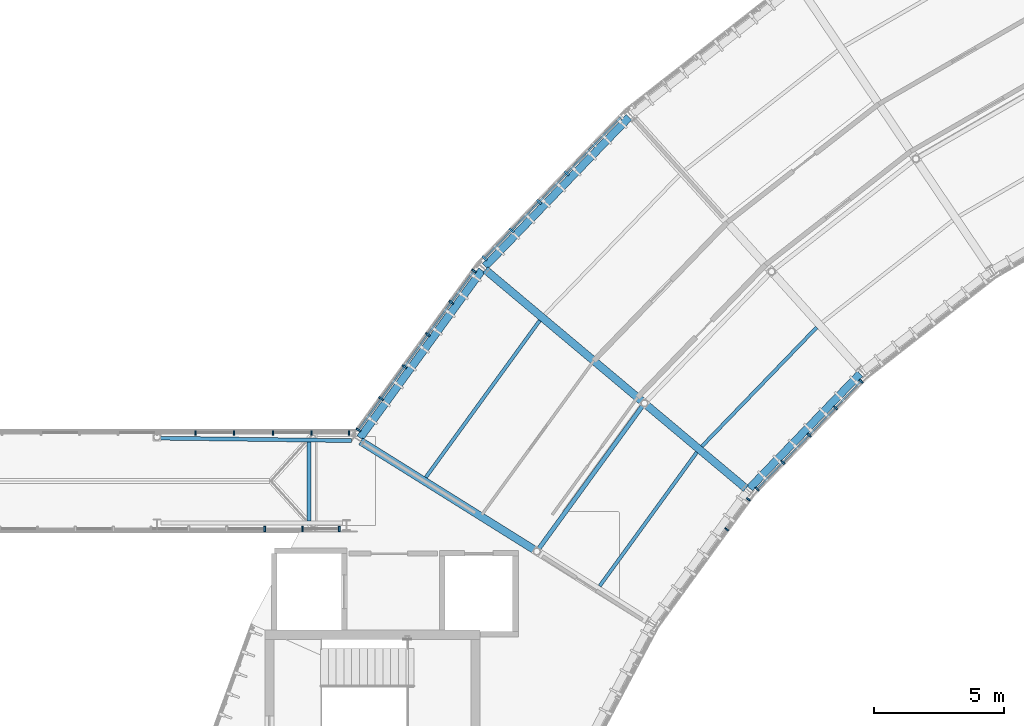
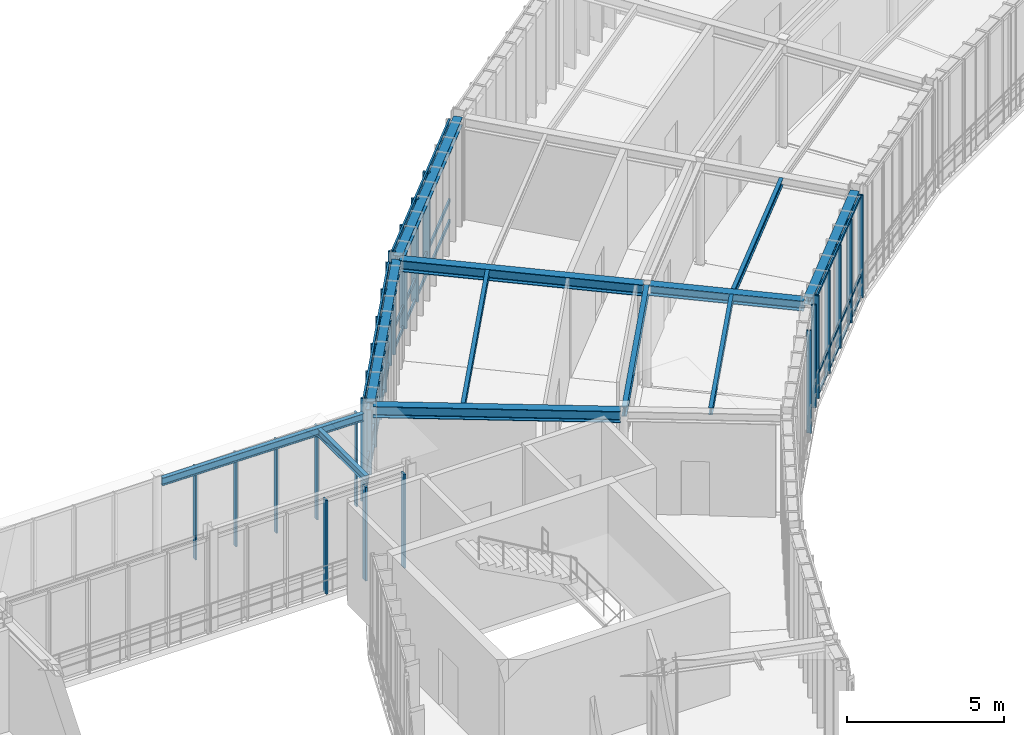
# One storey, part 17 of 52: 34 members, 12 beams, 6 elements without a shape of their own.
"""IFC4 building model written with IfcOpenShell, lengths in metres."""

from ifc_helpers import new_model, si_unit, direction, frame, origin, origin_2d, place, context, subcontext, project, spatial, rectangle, i_section, extrude, material, layer, layer_set, material_profile, profile_set, type_object, element, aggregate, save


model = new_model("IFC4")

# Units and contexts
model_context = context("Model", 3, precision=1e-05, world=origin(), true_north=direction((0.0, 1.0)))
body_context = subcontext(model_context, "Body", "Model", "MODEL_VIEW")
ifc_project = project(units=[si_unit("LENGTHUNIT", "METRE"), si_unit("AREAUNIT", "SQUARE_METRE"), si_unit("VOLUMEUNIT", "CUBIC_METRE"), si_unit("PLANEANGLEUNIT", "RADIAN"), si_unit("MASSUNIT", "GRAM", prefix="KILO"), si_unit("THERMODYNAMICTEMPERATUREUNIT", "KELVIN"), si_unit("POWERUNIT", "WATT")], contexts=[model_context])

# Site, building, storey
site_placement = place(None, origin())
site = spatial("IfcSite", under=ifc_project, at=site_placement, CompositionType="ELEMENT")
building_placement = place(site_placement, origin())
building = spatial("IfcBuilding", under=site, at=building_placement, Name="Solvatero Civic Police Headquarters", CompositionType="ELEMENT")
storey_placement = place(building_placement, frame((0.0, 0.0, 13.5)))
storey = spatial("IfcBuildingStorey", under=building, at=storey_placement, Name="L03", CompositionType="ELEMENT", Elevation=13.5)

# Beams
ifc_material_1 = material(Name="Steel S355", Category="steel")
ifc_material_profile_1 = material_profile(ifc_material_1, i_section(OverallWidth=0.300048828125, OverallDepth=0.2900390625, WebThickness=0.008544921875, FlangeThickness=0.013916015625, FilletRadius=0.027099609375, at=origin_2d()), Name="HEA 300")
ifc_profile_set_1 = profile_set([ifc_material_profile_1], Name="Steel S355")
beam_type_1 = type_object("IfcBeamType", Name="BM-ST-HEA300", PredefinedType="SPANDREL", material=ifc_profile_set_1)
beam_1_placement = place(storey_placement, frame((63.58544921875, 59.629638671875, 3.85498046875), z_axis=(-0.694666334327, -0.719332109635, 0.0), x_axis=(0.719332109635, -0.694666334327, 0.0)))
element("IfcBeam", 1, at=beam_1_placement, inside=storey, type_object=beam_type_1, Name="Perimeter / radial spandrel beam BM-R2-L03-ARC-CIN-B07", PredefinedType="SPANDREL", context=body_context, shape_type="SweptSolid", body=[
    extrude(i_section(OverallWidth=0.300048828125, OverallDepth=0.2900390625, WebThickness=0.008544921875, FlangeThickness=0.013916015625, FilletRadius=0.027099609375, at=origin_2d()), origin(), (0.0, 0.0, 1.0), 6.126953125),
])
ifc_material_profile_2 = material_profile(ifc_material_1, i_section(OverallWidth=0.300048828125, OverallDepth=0.31005859375, WebThickness=0.009033203125, FlangeThickness=0.015380859375, FilletRadius=0.027099609375, at=origin_2d()), Name="HEA 320")
ifc_profile_set_2 = profile_set([ifc_material_profile_2], Name="Steel S355")
beam_type_2 = type_object("IfcBeamType", Name="BM-ST-HEA320", PredefinedType="SPANDREL", material=ifc_profile_set_2)
beam_2_placement = place(storey_placement, frame((54.68603515625, 69.513427734375, 3.844970703125), z_axis=(-0.694657827695, -0.719340324479, 0.0), x_axis=(0.719340324479, -0.694657827695, 0.0)))
element("IfcBeam", 2, at=beam_2_placement, inside=storey, type_object=beam_type_2, Name="Perimeter / radial spandrel beam BM-R2-L03-ARC-COUT-B07", PredefinedType="SPANDREL", context=body_context, shape_type="SweptSolid", body=[
    extrude(i_section(OverallWidth=0.300048828125, OverallDepth=0.31005859375, WebThickness=0.009033203125, FlangeThickness=0.015380859375, FilletRadius=0.027099609375, at=origin_2d()), origin(), (0.0, 0.0, 1.0), 7.982177734375),
])
beam_3_placement = place(storey_placement, frame((49.0126953125, 63.61865234375, 3.844970703125), z_axis=(-0.587775184232, -0.809024309153, 0.0), x_axis=(0.809024309153, -0.587775184232, 0.0)))
element("IfcBeam", 3, at=beam_3_placement, inside=storey, type_object=beam_type_2, Name="Perimeter / radial spandrel beam BM-R2-L03-ARC-COUT-B08", PredefinedType="SPANDREL", context=body_context, shape_type="SweptSolid", body=[
    extrude(i_section(OverallWidth=0.300048828125, OverallDepth=0.31005859375, WebThickness=0.009033203125, FlangeThickness=0.015380859375, FilletRadius=0.027099609375, at=origin_2d()), origin(), (0.0, 0.0, 1.0), 7.982421875),
])
ifc_material_profile_3 = material_profile(ifc_material_1, i_section(OverallWidth=0.300048828125, OverallDepth=0.389892578125, WebThickness=0.010986328125, FlangeThickness=0.01904296875, FilletRadius=0.027099609375, at=origin_2d()), Name="HEA 400")
ifc_profile_set_3 = profile_set([ifc_material_profile_3], Name="Steel S355")
beam_type_3 = type_object("IfcBeamType", Name="BM-ST-HEA400", PredefinedType="BEAM", material=ifc_profile_set_3)
beam_4_placement = place(storey_placement, frame((59.183349609375, 55.214599609375, 3.804931640625), z_axis=(-0.766035646312, 0.642798093167, 0.0), x_axis=(-0.642798093167, -0.766035646312, 0.0)))
element("IfcBeam", 4, at=beam_4_placement, inside=storey, type_object=beam_type_3, Name="Primary girder BM-R2-L03-ARC-RAD1-S07", PredefinedType="BEAM", context=body_context, shape_type="SweptSolid", body=[
    extrude(i_section(OverallWidth=0.300048828125, OverallDepth=0.389892578125, WebThickness=0.010986328125, FlangeThickness=0.01904296875, FilletRadius=0.027099609375, at=origin_2d()), origin(), (0.0, 0.0, 1.0), 5.000244140625),
])
ifc_material_profile_4 = material_profile(ifc_material_1, i_section(OverallWidth=0.300048828125, OverallDepth=0.43994140625, WebThickness=0.011474609375, FlangeThickness=0.02099609375, FilletRadius=0.027099609375, at=origin_2d()), Name="HEA 450")
ifc_profile_set_4 = profile_set([ifc_material_profile_4], Name="Steel S355")
beam_type_4 = type_object("IfcBeamType", Name="BM-ST-HEA450", PredefinedType="BEAM", material=ifc_profile_set_4)
for number, where, z_axis, x_axis, name in (
    (5, (55.199951171875, 58.55712890625, 3.780029296875), (-0.766038381489, 0.642794833587, 0.0), (-0.642794833587, -0.766038381489, 0.0), "Primary girder BM-R2-L03-ARC-RAD2-S07"),
    (6, (51.04638671875, 52.84033203125, 3.780029296875), (-0.848043440319, 0.529926715057, 0.0), (-0.529926715057, -0.848043440319, 0.0), "Primary girder BM-R2-L03-ARC-RAD2-S08"),
):
    element("IfcBeam", number, at=place(storey_placement, frame(where, z_axis=z_axis, x_axis=x_axis)), inside=storey, type_object=beam_type_4, Name=name, PredefinedType="BEAM", context=body_context, shape_type="SweptSolid", body=[
        extrude(i_section(OverallWidth=0.300048828125, OverallDepth=0.43994140625, WebThickness=0.011474609375, FlangeThickness=0.02099609375, FilletRadius=0.027099609375, at=origin_2d()), origin(), (0.0, 0.0, 1.0), 7.900146484375),
    ])
ifc_material_profile_5 = material_profile(ifc_material_1, i_section(OverallWidth=0.135009765625, OverallDepth=0.27001953125, WebThickness=0.006591796875, FlangeThickness=0.01025390625, FilletRadius=0.014892578125, at=origin_2d()), Name="IPE 270")
ifc_profile_set_5 = profile_set([ifc_material_profile_5], Name="Steel S355")
beam_type_5 = type_object("IfcBeamType", Name="BM-ST-IPE270", PredefinedType="BEAM", material=ifc_profile_set_5)
for number, where, z_axis, x_axis, name in (
    (7, (61.911376953125, 61.414306640625, 3.864990234375), (-0.694655397836, -0.719342670956, 0.0), (0.719342670956, -0.694655397836, 0.0), "Composite floor beam BM-R2-L03-ARC-CS1-B07"),
    (8, (57.294921875, 56.603759765625, 3.864990234375), (-0.587786418719, -0.809016146915, 0.0), (0.809016146915, -0.587786418719, 0.0), "Composite floor beam BM-R2-L03-ARC-CS1-B08"),
):
    element("IfcBeam", number, at=place(storey_placement, frame(where, z_axis=z_axis, x_axis=x_axis)), inside=storey, type_object=beam_type_5, Name=name, PredefinedType="BEAM", context=body_context, shape_type="SweptSolid", body=[
        extrude(i_section(OverallWidth=0.135009765625, OverallDepth=0.27001953125, WebThickness=0.006591796875, FlangeThickness=0.01025390625, FilletRadius=0.014892578125, at=origin_2d()), origin(), (0.0, 0.0, 1.0), 6.36865234375),
    ])
beam_5_placement = place(storey_placement, frame((51.2431640625, 61.681884765625, 3.864990234375), z_axis=(-0.587800506185, -0.809005911554, 0.0), x_axis=(0.809005911554, -0.587800506185, 0.0)))
element("IfcBeam", 9, at=beam_5_placement, inside=storey, type_object=beam_type_5, Name="Composite floor beam BM-R2-L03-ARC-CS2-B08", PredefinedType="BEAM", context=body_context, shape_type="SweptSolid", body=[
    extrude(i_section(OverallWidth=0.135009765625, OverallDepth=0.27001953125, WebThickness=0.006591796875, FlangeThickness=0.01025390625, FilletRadius=0.014892578125, at=origin_2d()), origin(), (0.0, 0.0, 1.0), 7.470947265625),
])
ifc_material_profile_6 = material_profile(ifc_material_1, i_section(OverallWidth=0.14990234375, OverallDepth=0.300048828125, WebThickness=0.007080078125, FlangeThickness=0.0107421875, FilletRadius=0.014892578125, at=origin_2d()), Name="IPE 300")
ifc_profile_set_6 = profile_set([ifc_material_profile_6], Name="Steel S355")
beam_type_6 = type_object("IfcBeamType", Name="BM-ST-IPE300", PredefinedType="BEAM", material=ifc_profile_set_6)
beam_6_placement = place(storey_placement, frame((36.635986328125, 57.148193359375, 3.6298828125), z_axis=(0.999917094913, -0.012876463087, 0.0), x_axis=(0.012876463087, 0.999917094913, 0.0)))
element("IfcBeam", 10, at=beam_6_placement, inside=storey, type_object=beam_type_6, Name="Composite floor beam BM-R2-L03-RRAF-SB1-N", PredefinedType="BEAM", context=body_context, shape_type="SweptSolid", body=[
    extrude(i_section(OverallWidth=0.14990234375, OverallDepth=0.300048828125, WebThickness=0.007080078125, FlangeThickness=0.0107421875, FilletRadius=0.014892578125, at=origin_2d()), origin(), (0.0, 0.0, 1.0), 7.3564453125),
])
beam_7_placement = place(storey_placement, frame((42.35009765625, 53.955078125, 3.6298828125), z_axis=(0.0, 1.0, 0.0), x_axis=(-1.0, 0.0, 0.0)))
element("IfcBeam", 11, at=beam_7_placement, inside=storey, type_object=beam_type_6, Name="Composite floor beam BM-R2-L03-RRAF-SB1-E", PredefinedType="BEAM", context=body_context, shape_type="SweptSolid", body=[
    extrude(i_section(OverallWidth=0.14990234375, OverallDepth=0.300048828125, WebThickness=0.007080078125, FlangeThickness=0.0107421875, FilletRadius=0.014892578125, at=origin_2d()), origin(), (0.0, 0.0, 1.0), 3.044921875),
])
ifc_material_profile_7 = material_profile(ifc_material_1, i_section(OverallWidth=0.169921875, OverallDepth=0.360107421875, WebThickness=0.008056640625, FlangeThickness=0.0126953125, FilletRadius=0.01806640625, at=origin_2d()), Name="IPE 360")
ifc_profile_set_7 = profile_set([ifc_material_profile_7], Name="Steel S355")
beam_type_7 = type_object("IfcBeamType", Name="BM-ST-IPE360", PredefinedType="BEAM", material=ifc_profile_set_7)
beam_8_placement = place(storey_placement, frame((55.2177734375, 58.412109375, 3.820068359375), z_axis=(-0.587794552249, -0.809010237479, 0.0), x_axis=(0.809010237479, -0.587794552249, 0.0)))
element("IfcBeam", 12, at=beam_8_placement, inside=storey, type_object=beam_type_7, Name="Composite floor beam BM-R2-L03-ARC-CMID-B08", PredefinedType="BEAM", context=body_context, shape_type="SweptSolid", body=[
    extrude(i_section(OverallWidth=0.169921875, OverallDepth=0.360107421875, WebThickness=0.008056640625, FlangeThickness=0.0126953125, FilletRadius=0.01806640625, at=origin_2d()), origin(), (0.0, 0.0, 1.0), 6.8525390625),
])

# Curtain wall, members
ifc_material_2 = material(Name="Anodized Bronze Aluminium", Category="aluminium")
ifc_layer_1 = layer(ifc_material_2, 0.179931640625)
ifc_layer_set_1 = layer_set([ifc_layer_1], Name="Anodized Bronze Aluminium")
curtain_wall_type_1 = type_object("IfcCurtainWallType", Name="CW-ARC-OUT", PredefinedType="USERDEFINED", material=ifc_layer_set_1)
curtain_wall_1_placement = place(storey_placement, origin())
curtain_wall_1 = element("IfcCurtainWall", 13, at=curtain_wall_1_placement, inside=storey, type_object=curtain_wall_type_1, Name="Curtain Wall CW-R2-L03-ARC-OUT-B07", ObjectType="UNITISED", PredefinedType="USERDEFINED")
ifc_material_profile_8 = material_profile(ifc_material_2, rectangle(XDim=0.080078125, YDim=0.239990234375, at=origin_2d()), Name="ALU MULLION 80x240")
ifc_profile_set_8 = profile_set([ifc_material_profile_8], Name="Anodized Bronze Aluminium")
member_type_1 = type_object("IfcMemberType", Name="CWM-140x60", PredefinedType="MULLION", material=ifc_profile_set_8)
member_1_placement = place(storey_placement, frame((52.280029296875, 67.352294921875, 0.0), z_axis=(0.0, 0.0, 1.0), x_axis=(-0.694645815505, -0.719351924305, 0.0)))
member_1 = element("IfcMember", 14, at=member_1_placement, type_object=member_type_1, Name="CW-R2-L03-ARC-OUT-B07 Mullion 3", PredefinedType="MULLION", context=body_context, shape_type="SweptSolid", body=[
    extrude(rectangle(XDim=0.080078125, YDim=0.239990234375, at=origin_2d()), origin(), (0.0, 0.0, 1.0), 4.0),
])
member_2_placement = place(storey_placement, frame((51.216796875, 66.25146484375, 0.0), z_axis=(0.0, 0.0, 1.0), x_axis=(-0.694645815505, -0.719351924305, 0.0)))
member_2 = element("IfcMember", 15, at=member_2_placement, type_object=member_type_1, Name="CW-R2-L03-ARC-OUT-B07 Mullion 4", PredefinedType="MULLION", context=body_context, shape_type="SweptSolid", body=[
    extrude(rectangle(XDim=0.080078125, YDim=0.239990234375, at=origin_2d()), origin(), (0.0, 0.0, 1.0), 4.0),
])
member_3_placement = place(storey_placement, frame((50.15380859375, 65.150390625, 0.0), z_axis=(0.0, 0.0, 1.0), x_axis=(-0.694645815505, -0.719351924305, 0.0)))
member_3 = element("IfcMember", 16, at=member_3_placement, type_object=member_type_1, Name="CW-R2-L03-ARC-OUT-B07 Mullion 5", PredefinedType="MULLION", context=body_context, shape_type="SweptSolid", body=[
    extrude(rectangle(XDim=0.080078125, YDim=0.239990234375, at=origin_2d()), origin(), (0.0, 0.0, 1.0), 4.0),
])
member_4_placement = place(storey_placement, frame((49.118408203125, 64.078369140625, 0.0), z_axis=(0.0, 0.0, 1.0), x_axis=(-0.694645815505, -0.719351924305, 0.0)))
member_4 = element("IfcMember", 17, at=member_4_placement, type_object=member_type_1, Name="CW-R2-L03-ARC-OUT-B07 Mullion 6", PredefinedType="MULLION", context=body_context, shape_type="SweptSolid", body=[
    extrude(rectangle(XDim=0.080078125, YDim=0.239990234375, at=origin_2d()), origin(), (0.0, 0.0, 1.0), 4.0),
])

ifc_layer_2 = layer(ifc_material_2, 0.179931640625)
ifc_layer_set_2 = layer_set([ifc_layer_2], Name="Anodized Bronze Aluminium")
curtain_wall_type_2 = type_object("IfcCurtainWallType", Name="CW-ARC-IN", PredefinedType="USERDEFINED", material=ifc_layer_set_2)
curtain_wall_2_placement = place(storey_placement, origin())
curtain_wall_2 = element("IfcCurtainWall", 18, at=curtain_wall_2_placement, inside=storey, type_object=curtain_wall_type_2, Name="Curtain Wall CW-R2-L03-ARC-IN-B08", ObjectType="UNITISED", PredefinedType="USERDEFINED")
ifc_material_profile_9 = material_profile(ifc_material_2, rectangle(XDim=0.06005859375, YDim=0.159912109375, at=origin_2d()), Name="ALU MULLION 60x160")
ifc_profile_set_9 = profile_set([ifc_material_profile_9], Name="Anodized Bronze Aluminium")
member_type_2 = type_object("IfcMemberType", Name="CWM-180x70", PredefinedType="MULLION", material=ifc_profile_set_9)
member_5_placement = place(storey_placement, frame((59.281005859375, 54.7890625, 0.0), z_axis=(0.0, 0.0, 1.0), x_axis=(-0.587771132193, -0.80902725304, 0.0)))
member_5 = element("IfcMember", 19, at=member_5_placement, type_object=member_type_2, Name="CW-R2-L03-ARC-IN-B08 Mullion 1", PredefinedType="MULLION", context=body_context, shape_type="SweptSolid", body=[
    extrude(rectangle(XDim=0.06005859375, YDim=0.159912109375, at=origin_2d()), origin(), (0.0, 0.0, 1.0), 4.0),
])
member_6_placement = place(storey_placement, frame((58.4453125, 53.638916015625, 0.0), z_axis=(0.0, 0.0, 1.0), x_axis=(-0.587771132193, -0.80902725304, 0.0)))
member_6 = element("IfcMember", 20, at=member_6_placement, type_object=member_type_2, Name="CW-R2-L03-ARC-IN-B08 Mullion 2", PredefinedType="MULLION", context=body_context, shape_type="SweptSolid", body=[
    extrude(rectangle(XDim=0.06005859375, YDim=0.159912109375, at=origin_2d()), origin(), (0.0, 0.0, 1.0), 4.0),
])
aggregate(curtain_wall_2, [member_5, member_6])

ifc_layer_3 = layer(ifc_material_2, 0.179931640625)
ifc_layer_set_3 = layer_set([ifc_layer_3], Name="Anodized Bronze Aluminium")
curtain_wall_type_3 = type_object("IfcCurtainWallType", Name="CW-SB-GLZ", PredefinedType="USERDEFINED", material=ifc_layer_set_3)
curtain_wall_3_placement = place(storey_placement, origin())
curtain_wall_3 = element("IfcCurtainWall", 21, at=curtain_wall_3_placement, inside=storey, type_object=curtain_wall_type_3, Name="Curtain Wall CW-R2-L03-SB1-N", ObjectType="UNITISED", PredefinedType="USERDEFINED")
member_7_placement = place(storey_placement, frame((37.97998046875, 57.35009765625, 0.0), z_axis=(0.0, 0.0, 1.0), x_axis=(1.0, 0.0, 0.0)))
member_7 = element("IfcMember", 22, at=member_7_placement, type_object=member_type_2, Name="CW-R2-L03-SB1-N Mullion 7", PredefinedType="MULLION", context=body_context, shape_type="SweptSolid", body=[
    extrude(rectangle(XDim=0.06005859375, YDim=0.159912109375, at=origin_2d()), origin(), (0.0, 0.0, 1.0), 3.64990234375),
])
member_8_placement = place(storey_placement, frame((39.469970703125, 57.35009765625, 0.0), z_axis=(0.0, 0.0, 1.0), x_axis=(1.0, 0.0, 0.0)))
member_8 = element("IfcMember", 23, at=member_8_placement, type_object=member_type_2, Name="CW-R2-L03-SB1-N Mullion 8", PredefinedType="MULLION", context=body_context, shape_type="SweptSolid", body=[
    extrude(rectangle(XDim=0.06005859375, YDim=0.159912109375, at=origin_2d()), origin(), (0.0, 0.0, 1.0), 3.64990234375),
])
member_9_placement = place(storey_placement, frame((40.9599609375, 57.35009765625, 0.0), z_axis=(0.0, 0.0, 1.0), x_axis=(1.0, 0.0, 0.0)))
member_9 = element("IfcMember", 24, at=member_9_placement, type_object=member_type_2, Name="CW-R2-L03-SB1-N Mullion 9", PredefinedType="MULLION", context=body_context, shape_type="SweptSolid", body=[
    extrude(rectangle(XDim=0.06005859375, YDim=0.159912109375, at=origin_2d()), origin(), (0.0, 0.0, 1.0), 3.64990234375),
])
member_10_placement = place(storey_placement, frame((42.449951171875, 57.35009765625, 0.0), z_axis=(0.0, 0.0, 1.0), x_axis=(1.0, 0.0, 0.0)))
member_10 = element("IfcMember", 25, at=member_10_placement, type_object=member_type_2, Name="CW-R2-L03-SB1-N Mullion 10", PredefinedType="MULLION", context=body_context, shape_type="SweptSolid", body=[
    extrude(rectangle(XDim=0.06005859375, YDim=0.159912109375, at=origin_2d()), origin(), (0.0, 0.0, 1.0), 3.64990234375),
])
member_11_placement = place(storey_placement, frame((43.89990234375, 57.35009765625, 0.0), z_axis=(0.0, 0.0, 1.0), x_axis=(1.0, 0.0, 0.0)))
member_11 = element("IfcMember", 26, at=member_11_placement, type_object=member_type_2, Name="CW-R2-L03-SB1-N Mullion 11", PredefinedType="MULLION", context=body_context, shape_type="SweptSolid", body=[
    extrude(rectangle(XDim=0.06005859375, YDim=0.159912109375, at=origin_2d()), origin(), (0.0, 0.0, 1.0), 3.64990234375),
])
aggregate(curtain_wall_3, [member_7, member_8, member_9, member_10, member_11])

curtain_wall_4_placement = place(storey_placement, origin())
curtain_wall_4 = element("IfcCurtainWall", 27, at=curtain_wall_4_placement, inside=storey, type_object=curtain_wall_type_2, Name="Curtain Wall CW-R2-L03-ARC-IN-B07", ObjectType="UNITISED", PredefinedType="USERDEFINED")
ifc_material_profile_10 = material_profile(ifc_material_2, rectangle(XDim=0.06494140625, YDim=0.179931640625, at=origin_2d()), Name="ALU MULLION 65x180")
ifc_profile_set_10 = profile_set([ifc_material_profile_10], Name="Anodized Bronze Aluminium")
member_type_3 = type_object("IfcMemberType", Name="CWM-200x75", PredefinedType="MULLION", material=ifc_profile_set_10)
member_12_placement = place(storey_placement, frame((63.62548828125, 59.3408203125, 0.0), z_axis=(0.0, 0.0, 1.0), x_axis=(-0.694658370459, -0.719339800339, 0.0)))
member_12 = element("IfcMember", 28, at=member_12_placement, type_object=member_type_3, Name="CW-R2-L03-ARC-IN-B07 Mullion 1", PredefinedType="MULLION", context=body_context, shape_type="SweptSolid", body=[
    extrude(rectangle(XDim=0.06494140625, YDim=0.179931640625, at=origin_2d()), origin(), (0.0, 0.0, 1.0), 4.0),
])
member_13_placement = place(storey_placement, frame((62.6376953125, 58.318115234375, 0.0), z_axis=(0.0, 0.0, 1.0), x_axis=(-0.694658370459, -0.719339800339, 0.0)))
member_13 = element("IfcMember", 29, at=member_13_placement, type_object=member_type_3, Name="CW-R2-L03-ARC-IN-B07 Mullion 2", PredefinedType="MULLION", context=body_context, shape_type="SweptSolid", body=[
    extrude(rectangle(XDim=0.06494140625, YDim=0.179931640625, at=origin_2d()), origin(), (0.0, 0.0, 1.0), 4.0),
])
member_14_placement = place(storey_placement, frame((61.622314453125, 57.2666015625, 0.0), z_axis=(0.0, 0.0, 1.0), x_axis=(-0.694658370459, -0.719339800339, 0.0)))
member_14 = element("IfcMember", 30, at=member_14_placement, type_object=member_type_3, Name="CW-R2-L03-ARC-IN-B07 Mullion 3", PredefinedType="MULLION", context=body_context, shape_type="SweptSolid", body=[
    extrude(rectangle(XDim=0.06494140625, YDim=0.179931640625, at=origin_2d()), origin(), (0.0, 0.0, 1.0), 4.0),
])
member_15_placement = place(storey_placement, frame((60.60693359375, 56.215087890625, 0.0), z_axis=(0.0, 0.0, 1.0), x_axis=(-0.694658370459, -0.719339800339, 0.0)))
member_15 = element("IfcMember", 31, at=member_15_placement, type_object=member_type_3, Name="CW-R2-L03-ARC-IN-B07 Mullion 4", PredefinedType="MULLION", context=body_context, shape_type="SweptSolid", body=[
    extrude(rectangle(XDim=0.06494140625, YDim=0.179931640625, at=origin_2d()), origin(), (0.0, 0.0, 1.0), 4.0),
])
member_16_placement = place(storey_placement, frame((59.619384765625, 55.1923828125, 0.0), z_axis=(0.0, 0.0, 1.0), x_axis=(-0.694658370459, -0.719339800339, 0.0)))
member_16 = element("IfcMember", 32, at=member_16_placement, type_object=member_type_3, Name="CW-R2-L03-ARC-IN-B07 Mullion 5", PredefinedType="MULLION", context=body_context, shape_type="SweptSolid", body=[
    extrude(rectangle(XDim=0.06494140625, YDim=0.179931640625, at=origin_2d()), origin(), (0.0, 0.0, 1.0), 4.0),
])

curtain_wall_5_placement = place(storey_placement, origin())
curtain_wall_5 = element("IfcCurtainWall", 33, at=curtain_wall_5_placement, inside=storey, type_object=curtain_wall_type_1, Name="Curtain Wall CW-R2-L03-ARC-OUT-B08", ObjectType="UNITISED", PredefinedType="USERDEFINED")
ifc_material_profile_11 = material_profile(ifc_material_2, rectangle(XDim=0.070068359375, YDim=0.199951171875, at=origin_2d()), Name="ALU MULLION 70x200")
ifc_profile_set_11 = profile_set([ifc_material_profile_11], Name="Anodized Bronze Aluminium")
member_type_4 = type_object("IfcMemberType", Name="CWM-220x80", PredefinedType="MULLION", material=ifc_profile_set_11)
member_17_placement = place(storey_placement, frame((48.70654296875, 63.587646484375, 0.0), z_axis=(0.0, 0.0, 1.0), x_axis=(-0.587785252292, -0.809016994375, 0.0)))
member_17 = element("IfcMember", 34, at=member_17_placement, type_object=member_type_4, Name="CW-R2-L03-ARC-OUT-B08 Mullion 1", PredefinedType="MULLION", context=body_context, shape_type="SweptSolid", body=[
    extrude(rectangle(XDim=0.070068359375, YDim=0.199951171875, at=origin_2d()), origin(), (0.0, 0.0, 1.0), 4.0),
])
member_18_placement = place(storey_placement, frame((47.83056640625, 62.3818359375, 0.0), z_axis=(0.0, 0.0, 1.0), x_axis=(-0.587785252292, -0.809016994375, 0.0)))
member_18 = element("IfcMember", 35, at=member_18_placement, type_object=member_type_4, Name="CW-R2-L03-ARC-OUT-B08 Mullion 2", PredefinedType="MULLION", context=body_context, shape_type="SweptSolid", body=[
    extrude(rectangle(XDim=0.070068359375, YDim=0.199951171875, at=origin_2d()), origin(), (0.0, 0.0, 1.0), 4.0),
])
member_19_placement = place(storey_placement, frame((46.930908203125, 61.1435546875, 0.0), z_axis=(0.0, 0.0, 1.0), x_axis=(-0.587785252292, -0.809016994375, 0.0)))
member_19 = element("IfcMember", 36, at=member_19_placement, type_object=member_type_4, Name="CW-R2-L03-ARC-OUT-B08 Mullion 3", PredefinedType="MULLION", context=body_context, shape_type="SweptSolid", body=[
    extrude(rectangle(XDim=0.070068359375, YDim=0.199951171875, at=origin_2d()), origin(), (0.0, 0.0, 1.0), 4.0),
])
member_20_placement = place(storey_placement, frame((46.03125, 59.905517578125, 0.0), z_axis=(0.0, 0.0, 1.0), x_axis=(-0.587785252292, -0.809016994375, 0.0)))
member_20 = element("IfcMember", 37, at=member_20_placement, type_object=member_type_4, Name="CW-R2-L03-ARC-OUT-B08 Mullion 4", PredefinedType="MULLION", context=body_context, shape_type="SweptSolid", body=[
    extrude(rectangle(XDim=0.070068359375, YDim=0.199951171875, at=origin_2d()), origin(), (0.0, 0.0, 1.0), 4.0),
])
member_21_placement = place(storey_placement, frame((45.131591796875, 58.667236328125, 0.0), z_axis=(0.0, 0.0, 1.0), x_axis=(-0.587785252292, -0.809016994375, 0.0)))
member_21 = element("IfcMember", 38, at=member_21_placement, type_object=member_type_4, Name="CW-R2-L03-ARC-OUT-B08 Mullion 5", PredefinedType="MULLION", context=body_context, shape_type="SweptSolid", body=[
    extrude(rectangle(XDim=0.070068359375, YDim=0.199951171875, at=origin_2d()), origin(), (0.0, 0.0, 1.0), 4.0),
])
member_22_placement = place(storey_placement, frame((44.255615234375, 57.46142578125, 0.0), z_axis=(0.0, 0.0, 1.0), x_axis=(-0.587785252292, -0.809016994375, 0.0)))
member_22 = element("IfcMember", 39, at=member_22_placement, type_object=member_type_4, Name="CW-R2-L03-ARC-OUT-B08 Mullion 6", PredefinedType="MULLION", context=body_context, shape_type="SweptSolid", body=[
    extrude(rectangle(XDim=0.070068359375, YDim=0.199951171875, at=origin_2d()), origin(), (0.0, 0.0, 1.0), 4.0),
])

curtain_wall_6_placement = place(storey_placement, origin())
curtain_wall_6 = element("IfcCurtainWall", 40, at=curtain_wall_6_placement, inside=storey, type_object=curtain_wall_type_3, Name="Curtain Wall CW-R2-L03-SB1-S", ObjectType="UNITISED", PredefinedType="USERDEFINED")
member_23_placement = place(storey_placement, frame((40.643310546875, 53.64990234375, 0.0), z_axis=(0.0, 0.0, 1.0), x_axis=(1.0, 0.0, 0.0)))
member_23 = element("IfcMember", 41, at=member_23_placement, type_object=member_type_4, Name="CW-R2-L03-SB1-S Mullion 9", PredefinedType="MULLION", context=body_context, shape_type="SweptSolid", body=[
    extrude(rectangle(XDim=0.070068359375, YDim=0.199951171875, at=origin_2d()), origin(), (0.0, 0.0, 1.0), 3.64990234375),
])
member_24_placement = place(storey_placement, frame((42.1015625, 53.64990234375, 0.0), z_axis=(0.0, 0.0, 1.0), x_axis=(1.0, 0.0, 0.0)))
member_24 = element("IfcMember", 42, at=member_24_placement, type_object=member_type_4, Name="CW-R2-L03-SB1-S Mullion 10", PredefinedType="MULLION", context=body_context, shape_type="SweptSolid", body=[
    extrude(rectangle(XDim=0.070068359375, YDim=0.199951171875, at=origin_2d()), origin(), (0.0, 0.0, 1.0), 3.64990234375),
])
member_25_placement = place(storey_placement, frame((43.52001953125, 53.64990234375, 0.0), z_axis=(0.0, 0.0, 1.0), x_axis=(1.0, 0.0, 0.0)))
member_25 = element("IfcMember", 43, at=member_25_placement, type_object=member_type_4, Name="CW-R2-L03-SB1-S Mullion 11", PredefinedType="MULLION", context=body_context, shape_type="SweptSolid", body=[
    extrude(rectangle(XDim=0.070068359375, YDim=0.199951171875, at=origin_2d()), origin(), (0.0, 0.0, 1.0), 3.64990234375),
])
aggregate(curtain_wall_6, [member_23, member_24, member_25])

# Member
ifc_material_profile_12 = material_profile(ifc_material_2, rectangle(XDim=0.070068359375, YDim=0.159912109375, at=origin_2d()), Name="ALU TRANSOM 70x160")
ifc_profile_set_12 = profile_set([ifc_material_profile_12], Name="Anodized Bronze Aluminium")
member_type_5 = type_object("IfcMemberType", Name="CWT-120x55", PredefinedType="USERDEFINED", material=ifc_profile_set_12)
member_26_placement = place(storey_placement, frame((48.70068359375, 63.57958984375, 0.0400390625), z_axis=(-0.587781447132, -0.809019758972, 0.0), x_axis=(0.809019758972, -0.587781447132, 0.0)))
member_26 = element("IfcMember", 44, at=member_26_placement, type_object=member_type_5, Name="CW-R2-L03-ARC-OUT-B08 Transom 1", ObjectType="TRANSOM", PredefinedType="USERDEFINED", context=body_context, shape_type="SweptSolid", body=[
    extrude(rectangle(XDim=0.070068359375, YDim=0.159912109375, at=origin_2d()), origin(), (0.0, 0.0, 1.0), 7.552490234375),
])

member_27_placement = place(storey_placement, frame((48.70068359375, 63.57958984375, 0.85009765625), z_axis=(-0.587781447132, -0.809019758972, 0.0), x_axis=(0.809019758972, -0.587781447132, 0.0)))
member_27 = element("IfcMember", 45, at=member_27_placement, type_object=member_type_5, Name="CW-R2-L03-ARC-OUT-B08 Transom 2", ObjectType="TRANSOM", PredefinedType="USERDEFINED", context=body_context, shape_type="SweptSolid", body=[
    extrude(rectangle(XDim=0.070068359375, YDim=0.159912109375, at=origin_2d()), origin(), (0.0, 0.0, 1.0), 7.552490234375),
])

member_28_placement = place(storey_placement, frame((48.70068359375, 63.57958984375, 3.9599609375), z_axis=(-0.587781447132, -0.809019758972, 0.0), x_axis=(0.809019758972, -0.587781447132, 0.0)))
member_28 = element("IfcMember", 46, at=member_28_placement, type_object=member_type_5, Name="CW-R2-L03-ARC-OUT-B08 Transom 3", ObjectType="TRANSOM", PredefinedType="USERDEFINED", context=body_context, shape_type="SweptSolid", body=[
    extrude(rectangle(XDim=0.070068359375, YDim=0.159912109375, at=origin_2d()), origin(), (0.0, 0.0, 1.0), 7.552490234375),
])

aggregate(curtain_wall_5, [member_17, member_18, member_19, member_20, member_21, member_22, member_26, member_27, member_28])

ifc_material_profile_13 = material_profile(ifc_material_2, rectangle(XDim=0.06005859375, YDim=0.110107421875, at=origin_2d()), Name="ALU TRANSOM 60x110")
ifc_profile_set_13 = profile_set([ifc_material_profile_13], Name="Anodized Bronze Aluminium")
member_type_6 = type_object("IfcMemberType", Name="CWT-140x60", PredefinedType="USERDEFINED", material=ifc_profile_set_13)
member_29_placement = place(storey_placement, frame((63.618408203125, 59.33349609375, 0.0400390625), z_axis=(-0.694679422257, -0.719319470258, 0.0), x_axis=(0.719319470258, -0.694679422257, 0.0)))
member_29 = element("IfcMember", 47, at=member_29_placement, type_object=member_type_6, Name="CW-R2-L03-ARC-IN-B07 Transom 1", ObjectType="TRANSOM", PredefinedType="USERDEFINED", context=body_context, shape_type="SweptSolid", body=[
    extrude(rectangle(XDim=0.06005859375, YDim=0.110107421875, at=origin_2d()), origin(), (0.0, 0.0, 1.0), 5.746826171875),
])

member_30_placement = place(storey_placement, frame((63.618408203125, 59.33349609375, 0.85009765625), z_axis=(-0.694679422257, -0.719319470258, 0.0), x_axis=(0.719319470258, -0.694679422257, 0.0)))
member_30 = element("IfcMember", 48, at=member_30_placement, type_object=member_type_6, Name="CW-R2-L03-ARC-IN-B07 Transom 2", ObjectType="TRANSOM", PredefinedType="USERDEFINED", context=body_context, shape_type="SweptSolid", body=[
    extrude(rectangle(XDim=0.06005859375, YDim=0.110107421875, at=origin_2d()), origin(), (0.0, 0.0, 1.0), 5.746826171875),
])

member_31_placement = place(storey_placement, frame((63.618408203125, 59.33349609375, 3.9599609375), z_axis=(-0.694679422257, -0.719319470258, 0.0), x_axis=(0.719319470258, -0.694679422257, 0.0)))
member_31 = element("IfcMember", 49, at=member_31_placement, type_object=member_type_6, Name="CW-R2-L03-ARC-IN-B07 Transom 3", ObjectType="TRANSOM", PredefinedType="USERDEFINED", context=body_context, shape_type="SweptSolid", body=[
    extrude(rectangle(XDim=0.06005859375, YDim=0.110107421875, at=origin_2d()), origin(), (0.0, 0.0, 1.0), 5.746826171875),
])

aggregate(curtain_wall_4, [member_12, member_13, member_14, member_15, member_16, member_29, member_30, member_31])

ifc_material_profile_14 = material_profile(ifc_material_2, rectangle(XDim=0.06494140625, YDim=0.139892578125, at=origin_2d()), Name="ALU TRANSOM 65x140")
ifc_profile_set_14 = profile_set([ifc_material_profile_14], Name="Anodized Bronze Aluminium")
member_type_7 = type_object("IfcMemberType", Name="CWT-180x70", PredefinedType="USERDEFINED", material=ifc_profile_set_14)
member_32_placement = place(storey_placement, frame((54.37158203125, 69.518310546875, 0.0400390625), z_axis=(-0.694650470154, -0.719347429491, 0.0), x_axis=(0.719347429491, -0.694650470154, 0.0)))
member_32 = element("IfcMember", 50, at=member_32_placement, type_object=member_type_7, Name="CW-R2-L03-ARC-OUT-B07 Transom 1", ObjectType="TRANSOM", PredefinedType="USERDEFINED", context=body_context, shape_type="SweptSolid", body=[
    extrude(rectangle(XDim=0.06494140625, YDim=0.139892578125, at=origin_2d()), origin(), (0.0, 0.0, 1.0), 7.552490234375),
])

member_33_placement = place(storey_placement, frame((54.37158203125, 69.518310546875, 0.85009765625), z_axis=(-0.694650470154, -0.719347429491, 0.0), x_axis=(0.719347429491, -0.694650470154, 0.0)))
member_33 = element("IfcMember", 51, at=member_33_placement, type_object=member_type_7, Name="CW-R2-L03-ARC-OUT-B07 Transom 2", ObjectType="TRANSOM", PredefinedType="USERDEFINED", context=body_context, shape_type="SweptSolid", body=[
    extrude(rectangle(XDim=0.06494140625, YDim=0.139892578125, at=origin_2d()), origin(), (0.0, 0.0, 1.0), 7.552490234375),
])

member_34_placement = place(storey_placement, frame((54.37158203125, 69.518310546875, 3.9599609375), z_axis=(-0.694650470154, -0.719347429491, 0.0), x_axis=(0.719347429491, -0.694650470154, 0.0)))
member_34 = element("IfcMember", 52, at=member_34_placement, type_object=member_type_7, Name="CW-R2-L03-ARC-OUT-B07 Transom 3", ObjectType="TRANSOM", PredefinedType="USERDEFINED", context=body_context, shape_type="SweptSolid", body=[
    extrude(rectangle(XDim=0.06494140625, YDim=0.139892578125, at=origin_2d()), origin(), (0.0, 0.0, 1.0), 7.552490234375),
])

aggregate(curtain_wall_1, [member_1, member_2, member_3, member_4, member_32, member_33, member_34])

save(model, "model.ifc")
